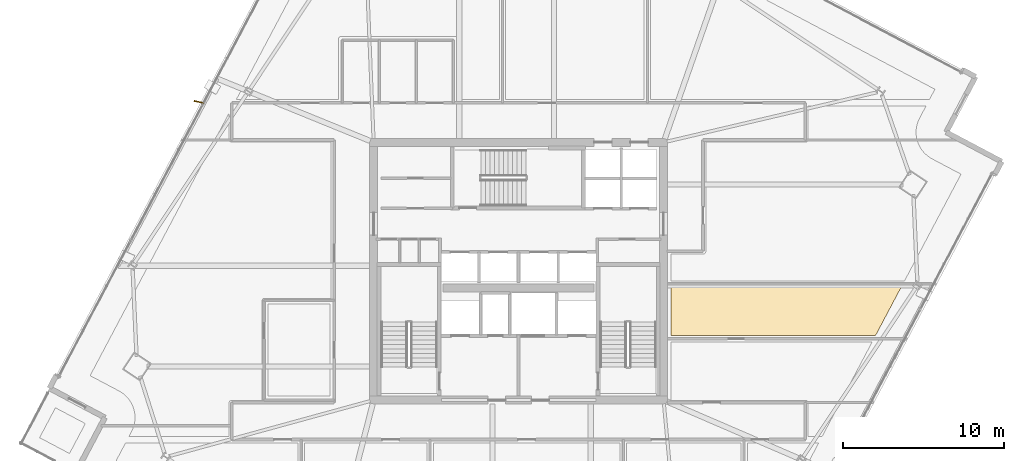
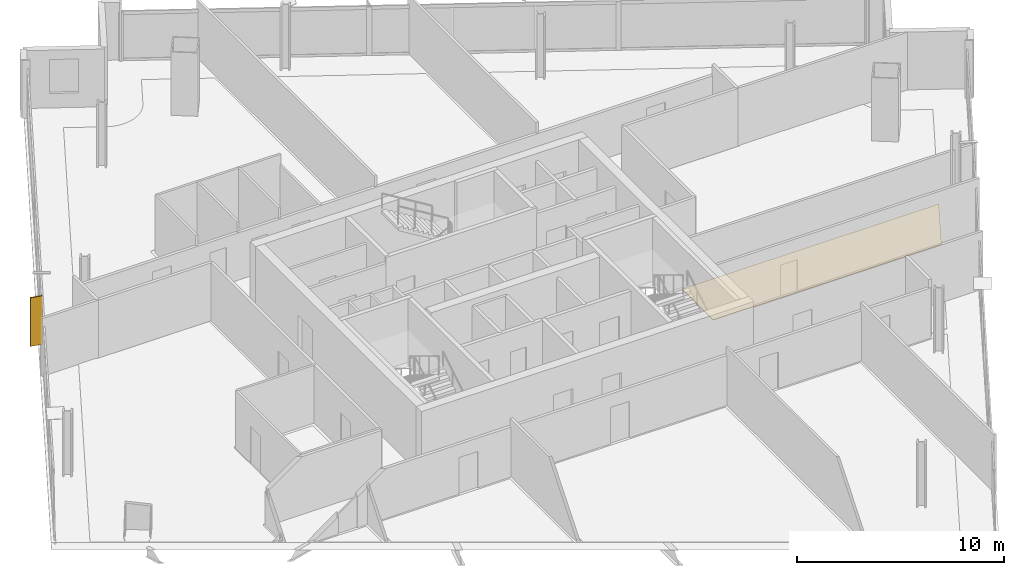
# One storey, part 26 of 28: 1 covering, 1 shading device.
"""IFC4 building model written with IfcOpenShell, lengths in metres."""

from ifc_helpers import new_model, si_unit, direction, frame, origin, origin_2d, place, context, subcontext, project, spatial, polyline, rectangle, outline, extrude, source, transform, mapped, material, layer, layer_set, type_object, element, save


model = new_model("IFC4")

# Units and contexts
model_context = context("Model", 3, precision=1e-05, world=origin(), true_north=direction((0.0, 1.0)))
body_context = subcontext(model_context, "Body", "Model", "MODEL_VIEW")
ifc_project = project(units=[si_unit("LENGTHUNIT", "METRE"), si_unit("AREAUNIT", "SQUARE_METRE"), si_unit("VOLUMEUNIT", "CUBIC_METRE"), si_unit("PLANEANGLEUNIT", "RADIAN"), si_unit("MASSUNIT", "GRAM", prefix="KILO")], contexts=[model_context])

# Site, building, storey
site_placement = place(None, origin())
site = spatial("IfcSite", under=ifc_project, at=site_placement, CompositionType="ELEMENT")
building_placement = place(site_placement, origin())
building = spatial("IfcBuilding", under=site, at=building_placement, Name="Haldenkirk Collegiate Tower", CompositionType="ELEMENT")
storey_placement = place(building_placement, frame((0.0, 0.0, 235.949951171875)))
storey = spatial("IfcBuildingStorey", under=building, at=storey_placement, Name="L59", CompositionType="ELEMENT", Elevation=235.949951171875)

# Covering
ifc_material_1 = material(Name="Polished collegiate terrazzo", Category="concrete")
ifc_layer_1 = layer(ifc_material_1, 0.02490234375)
ifc_layer_set_1 = layer_set([ifc_layer_1], Name="Polished collegiate terrazzo")
covering_type = type_object("IfcCoveringType", Name="COV-FLOOR-TERRAZZO", PredefinedType="FLOORING", material=ifc_layer_set_1)
covering_placement = place(storey_placement, origin())
element("IfcCovering", 1, at=covering_placement, inside=storey, type_object=covering_type, Name="L59 academic room finish 12", PredefinedType="FLOORING", context=body_context, shape_type="SweptSolid", body=[
    extrude(outline(polyline([(58.158935546875, 22.0), (45.449951171875, 22.0), (45.449951171875, 25.0), (59.747314453125, 25.0), (58.158935546875, 22.0)])), origin(), (0.0, 0.0, 1.0), 0.025146484375),
])

# Shading device
ifc_material_2 = material(Name="Anodised architectural bronze aluminium", Category="aluminium")
ifc_layer_2 = layer(ifc_material_2, 0.06494140625)
ifc_layer_set_2 = layer_set([ifc_layer_2], Name="Anodised architectural bronze aluminium")
shading_device_type = type_object("IfcShadingDeviceType", Name="SHD-FIN-BRONZE-620", PredefinedType="USERDEFINED", material=ifc_layer_set_2)
shared_shape = source(origin(), body_context, "Body", "SweptSolid", [
    extrude(rectangle(XDim=0.6201171875, YDim=0.06494140625, at=origin_2d()), origin(), (0.0, 0.0, 1.0), 2.85791015625),
])
shading_device_placement = place(storey_placement, frame((16.146240234375, 36.511962890625, 0.0), z_axis=(0.0, 0.0, 1.0), x_axis=(-0.978508985102, 0.206204185397, 0.0)))
element("IfcShadingDevice", 2, at=shading_device_placement, inside=storey, type_object=shading_device_type, Name="L59 folded bronze solar fin 1", ObjectType="FIN", PredefinedType="USERDEFINED", context=body_context, shape_type="MappedRepresentation", body=[
    mapped(shared_shape, transform((0.0, 0.0, 0.0), x_axis=(1.0, 0.0, 0.0), y_axis=(0.0, 1.0, 0.0), z_axis=(0.0, 0.0, 1.0), scale=1.0)),
])

save(model, "model.ifc")
